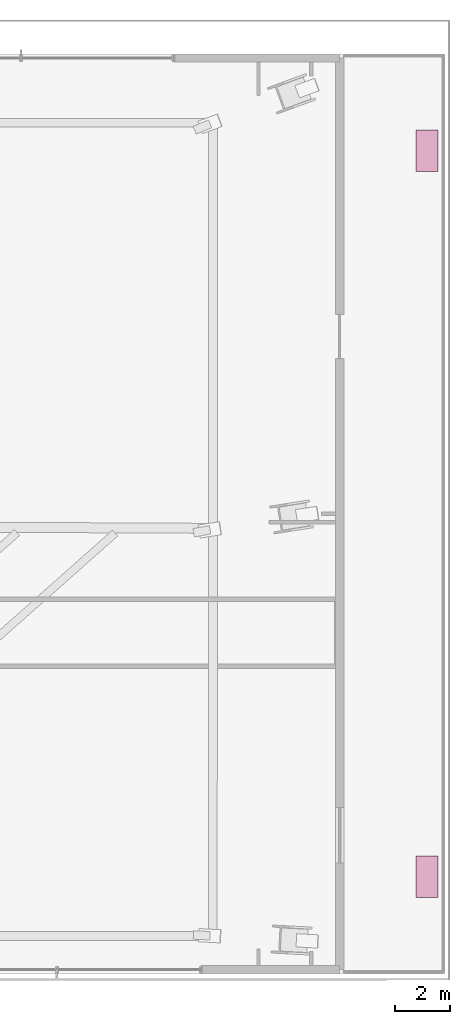
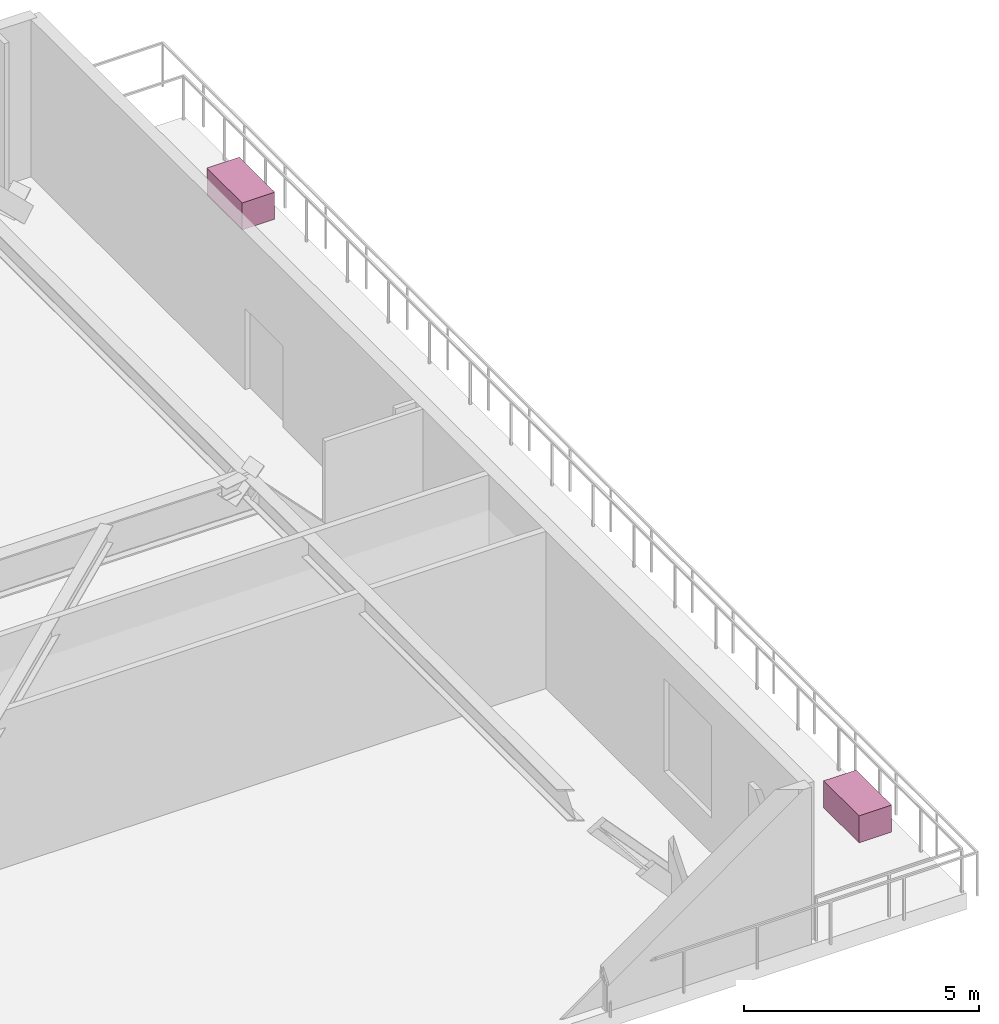
# One storey, part 33 of 33: 2 furnishings.
"""IFC4 building model written with IfcOpenShell, lengths in metres."""

from ifc_helpers import new_model, si_unit, direction, frame, origin, origin_2d, place, context, subcontext, project, spatial, rectangle, extrude, source, transform, mapped, material, type_object, type_shapes, element, save


model = new_model("IFC4")

# Units and contexts
model_context = context("Model", 3, precision=1e-05, world=origin(), true_north=direction((0.0, 1.0)))
body_context = subcontext(model_context, "Body", "Model", "MODEL_VIEW")
ifc_project = project(units=[si_unit("LENGTHUNIT", "METRE"), si_unit("AREAUNIT", "SQUARE_METRE"), si_unit("VOLUMEUNIT", "CUBIC_METRE"), si_unit("PLANEANGLEUNIT", "RADIAN"), si_unit("MASSUNIT", "GRAM", prefix="KILO")], contexts=[model_context])

# Site, building, storey
site_placement = place(None, origin())
site = spatial("IfcSite", under=ifc_project, at=site_placement, CompositionType="ELEMENT")
building_placement = place(site_placement, origin())
building = spatial("IfcBuilding", under=site, at=building_placement, Name="Astriad Promenade Condominiums", CompositionType="ELEMENT")
storey_placement = place(building_placement, frame((0.0, 0.0, 9.5)))
storey = spatial("IfcBuildingStorey", under=building, at=storey_placement, Name="L02", CompositionType="ELEMENT", Elevation=9.5)

# Furnishings
ifc_material = material(Name="Architectural Precast Concrete Planter", Category="concrete")
furnishing_element_type = type_object("IfcFurnishingElementType", Name="PLANTER-TERRACE-1500", material=ifc_material)
shared_shape = source(origin(), body_context, "Body", "SweptSolid", [
    extrude(rectangle(XDim=0.800048828125, YDim=1.5, at=origin_2d()), origin(), (0.0, 0.0, 1.0), 0.699951171875),
])
type_shapes(furnishing_element_type, [shared_shape])
for number, where, z_axis, x_axis, name in (
    (1, (78.39990234375, 4.699951171875, 0.0), (0.0, 0.0, 1.0), (1.0, 0.0, 0.0), "PLN-TER-L02-1"),
    (2, (78.39990234375, 30.89990234375, 0.0), (0.0, 0.0, 1.0), (1.0, 0.0, 0.0), "PLN-TER-L02-2"),
):
    element("IfcFurnishingElement", number, at=place(storey_placement, frame(where, z_axis=z_axis, x_axis=x_axis)), inside=storey, type_object=furnishing_element_type, Name=name, ObjectType="PLANTER", context=body_context, shape_type="MappedRepresentation", body=[
        mapped(shared_shape, transform((0.0, 0.0, 0.0), scale=1.0)),
    ])

save(model, "model.ifc")
